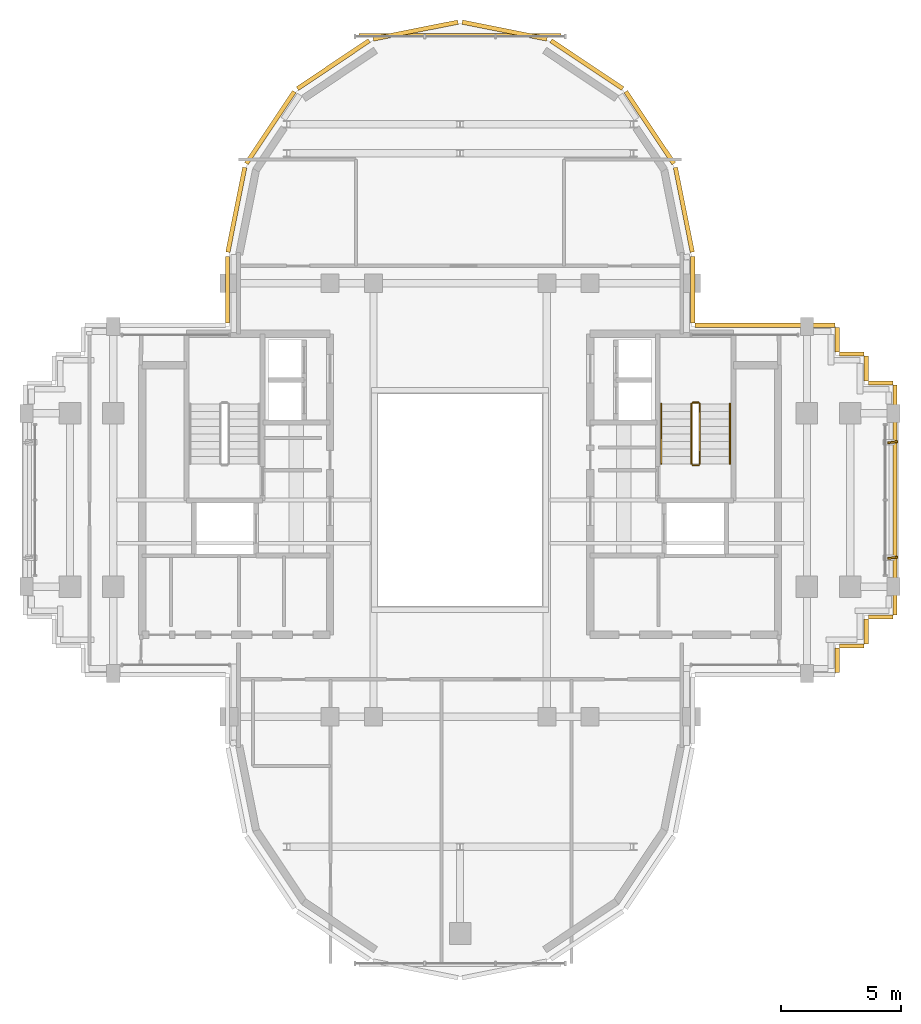
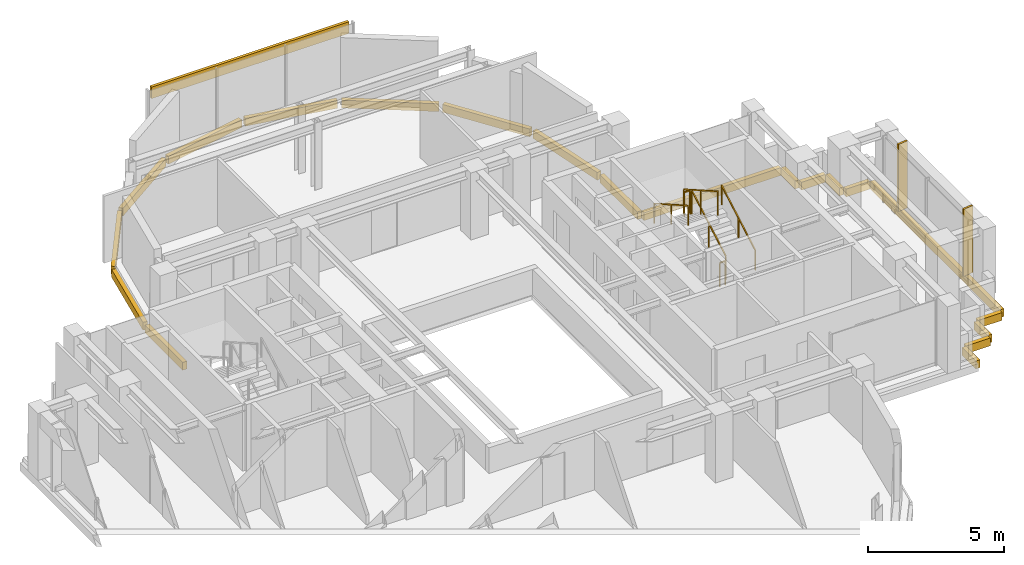
# One storey, part 12 of 12: 21 coverings, 6 railings, 2 shading devices.
"""IFC4 building model written with IfcOpenShell, lengths in metres."""

from ifc_helpers import new_model, si_unit, direction, frame, origin, origin_2d, place, context, subcontext, project, spatial, rectangle, extrude, source, transform, mapped, material, layer, layer_set, type_object, element, save


model = new_model("IFC4")

# Units and contexts
model_context = context("Model", 3, precision=1e-05, world=origin(), true_north=direction((0.0, 1.0)))
body_context = subcontext(model_context, "Body", "Model", "MODEL_VIEW")
ifc_project = project(units=[si_unit("LENGTHUNIT", "METRE"), si_unit("AREAUNIT", "SQUARE_METRE"), si_unit("VOLUMEUNIT", "CUBIC_METRE"), si_unit("PLANEANGLEUNIT", "RADIAN"), si_unit("MASSUNIT", "GRAM", prefix="KILO")], contexts=[model_context])

# Site, building, storey
site_placement = place(None, origin())
site = spatial("IfcSite", under=ifc_project, at=site_placement, CompositionType="ELEMENT")
building_placement = place(site_placement, origin())
building = spatial("IfcBuilding", under=site, at=building_placement, Name="Keilestroom Media Tower", CompositionType="ELEMENT")
storey_placement = place(building_placement, frame((0.0, 0.0, 226.800048828125)))
storey = spatial("IfcBuildingStorey", under=building, at=storey_placement, Name="L62", CompositionType="ELEMENT", Elevation=226.800048828125)

# Railings
ifc_material_1 = material(Name="Brushed Stainless Steel 1.4301", Category="steel")
railing_type_1 = type_object("IfcRailingType", Name="Stair-Pitch-Handrail-920", PredefinedType="HANDRAIL", material=ifc_material_1)
railing_1_placement = place(storey_placement, frame((11.2099609375, 1.5, 0.177734375)))
element("IfcRailing", 1, at=railing_1_placement, inside=storey, type_object=railing_type_1, Name="L62 ST-2 stair handrail 1", PredefinedType="HANDRAIL", context=body_context, shape_type="SweptSolid", body=[
    extrude(rectangle(XDim=0.048095703125, YDim=0.048095703125, at=origin_2d()), frame((0.0, 0.0, 0.8759765625), z_axis=(0.0, 0.868875238982, 0.495031129408), x_axis=(-1.0, 0.0, 0.0)), (0.0, 0.0, 1.0), 2.872802734375),
    extrude(rectangle(XDim=0.0419921875, YDim=0.0419921875, at=origin_2d()), origin(), (0.0, 0.0, 1.0), 0.84375),
    extrude(rectangle(XDim=0.0419921875, YDim=0.0419921875, at=origin_2d()), frame((0.0, 1.248046875, 0.7109375)), (0.0, 0.0, 1.0), 0.84375),
    extrude(rectangle(XDim=0.0419921875, YDim=0.0419921875, at=origin_2d()), frame((0.0, 2.49609375, 1.422119140625)), (0.0, 0.0, 1.0), 0.84375),
])
railing_2_placement = place(storey_placement, frame((8.35009765625, 3.99609375, 1.77783203125)))
element("IfcRailing", 2, at=railing_2_placement, inside=storey, type_object=railing_type_1, Name="L62 ST-2 stair handrail 2", PredefinedType="HANDRAIL", context=body_context, shape_type="SweptSolid", body=[
    extrude(rectangle(XDim=0.048095703125, YDim=0.048095703125, at=origin_2d()), frame((0.0, 0.0, 0.8759765625), z_axis=(0.0, -0.868875238982, 0.495031129408), x_axis=(1.0, 0.0, 0.0)), (0.0, 0.0, 1.0), 2.872802734375),
    extrude(rectangle(XDim=0.0419921875, YDim=0.0419921875, at=origin_2d()), origin(), (0.0, 0.0, 1.0), 0.84375),
    extrude(rectangle(XDim=0.0419921875, YDim=0.0419921875, at=origin_2d()), frame((0.0, -1.248046875, 0.7109375)), (0.0, 0.0, 1.0), 0.84375),
    extrude(rectangle(XDim=0.0419921875, YDim=0.0419921875, at=origin_2d()), frame((0.0, -2.49609375, 1.422119140625)), (0.0, 0.0, 1.0), 0.84375),
])
ifc_material_2 = material(Name="Painted Steel Balustrade", Category="steel")
railing_type_2 = type_object("IfcRailingType", Name="Stair-Well-And-Landing-Guard-1100", PredefinedType="GUARDRAIL", material=ifc_material_2)
railing_3_placement = place(storey_placement, frame((9.949951171875, 1.5, 0.177734375)))
element("IfcRailing", 3, at=railing_3_placement, inside=storey, type_object=railing_type_2, Name="L62 ST-2 stair guard 1", PredefinedType="GUARDRAIL", context=body_context, shape_type="SweptSolid", body=[
    extrude(rectangle(XDim=0.048095703125, YDim=0.048095703125, at=origin_2d()), frame((0.0, 0.0, 1.076171875), z_axis=(0.0, 0.868875238982, 0.495031129408), x_axis=(-1.0, 0.0, 0.0)), (0.0, 0.0, 1.0), 2.872802734375),
    extrude(rectangle(XDim=0.0419921875, YDim=0.0419921875, at=origin_2d()), origin(), (0.0, 0.0, 1.0), 1.0439453125),
    extrude(rectangle(XDim=0.0419921875, YDim=0.0419921875, at=origin_2d()), frame((0.0, 1.248046875, 0.7109375)), (0.0, 0.0, 1.0), 1.0439453125),
    extrude(rectangle(XDim=0.0419921875, YDim=0.0419921875, at=origin_2d()), frame((0.0, 2.49609375, 1.422119140625)), (0.0, 0.0, 1.0), 1.0439453125),
])
railing_4_placement = place(storey_placement, frame((9.89990234375, 4.0458984375, 1.599853515625)))
element("IfcRailing", 4, at=railing_4_placement, inside=storey, type_object=railing_type_2, Name="L62 ST-2 stair guard 2", PredefinedType="GUARDRAIL", context=body_context, shape_type="SweptSolid", body=[
    extrude(rectangle(XDim=0.048095703125, YDim=0.048095703125, at=origin_2d()), frame((0.0, 0.0, 1.076171875), z_axis=(-1.0, 0.0, 0.0), x_axis=(0.0, -1.0, 0.0)), (0.0, 0.0, 1.0), 0.239990234375),
    extrude(rectangle(XDim=0.0419921875, YDim=0.0419921875, at=origin_2d()), origin(), (0.0, 0.0, 1.0), 1.0439453125),
    extrude(rectangle(XDim=0.0419921875, YDim=0.0419921875, at=origin_2d()), frame((-0.239990234375, 0.0, 0.0)), (0.0, 0.0, 1.0), 1.0439453125),
])
railing_5_placement = place(storey_placement, frame((9.610107421875, 3.99609375, 1.77783203125)))
element("IfcRailing", 5, at=railing_5_placement, inside=storey, type_object=railing_type_2, Name="L62 ST-2 stair guard 3", PredefinedType="GUARDRAIL", context=body_context, shape_type="SweptSolid", body=[
    extrude(rectangle(XDim=0.048095703125, YDim=0.048095703125, at=origin_2d()), frame((0.0, 0.0, 1.076171875), z_axis=(0.0, -0.868875238982, 0.495031129408), x_axis=(1.0, 0.0, 0.0)), (0.0, 0.0, 1.0), 2.872802734375),
    extrude(rectangle(XDim=0.0419921875, YDim=0.0419921875, at=origin_2d()), origin(), (0.0, 0.0, 1.0), 1.0439453125),
    extrude(rectangle(XDim=0.0419921875, YDim=0.0419921875, at=origin_2d()), frame((0.0, -1.248046875, 0.7109375)), (0.0, 0.0, 1.0), 1.0439453125),
    extrude(rectangle(XDim=0.0419921875, YDim=0.0419921875, at=origin_2d()), frame((0.0, -2.49609375, 1.422119140625)), (0.0, 0.0, 1.0), 1.0439453125),
])
railing_6_placement = place(storey_placement, frame((9.89990234375, 1.449951171875, 0.0)))
element("IfcRailing", 6, at=railing_6_placement, inside=storey, type_object=railing_type_2, Name="L62 ST-2 stair guard 4", PredefinedType="GUARDRAIL", context=body_context, shape_type="SweptSolid", body=[
    extrude(rectangle(XDim=0.048095703125, YDim=0.048095703125, at=origin_2d()), frame((0.0, 0.0, 1.076171875), z_axis=(-1.0, 0.0, 0.0), x_axis=(0.0, -1.0, 0.0)), (0.0, 0.0, 1.0), 0.239990234375),
    extrude(rectangle(XDim=0.0419921875, YDim=0.0419921875, at=origin_2d()), origin(), (0.0, 0.0, 1.0), 1.0439453125),
    extrude(rectangle(XDim=0.0419921875, YDim=0.0419921875, at=origin_2d()), frame((-0.239990234375, 0.0, 0.0)), (0.0, 0.0, 1.0), 1.0439453125),
])

# Covering
ifc_material_3 = material(Name="Precast concrete C40/50", Category="concrete")
ifc_layer = layer(ifc_material_3, 0.1201171875)
ifc_layer_set = layer_set([ifc_layer], Name="Precast concrete C40/50")
covering_type = type_object("IfcCoveringType", Name="Exterior-Precast-Spandrel-Cladding-Panel-120", PredefinedType="CLADDING", material=ifc_layer_set)
shared_shape_1 = source(origin(), body_context, "Body", "SweptSolid", [
    extrude(rectangle(XDim=8.39990234375, YDim=0.1201171875, at=origin_2d()), origin(), (0.0, 0.0, 1.0), 0.52001953125),
])
covering_1_placement = place(storey_placement, frame((0.0, 19.320068359375, 2.5), z_axis=(0.0, 0.0, 1.0), x_axis=(1.0, 0.0, 0.0)))
element("IfcCovering", 7, at=covering_1_placement, inside=storey, type_object=covering_type, Name="L62 Precast Spandrel Cladding N", PredefinedType="CLADDING", context=body_context, shape_type="MappedRepresentation", body=[
    mapped(shared_shape_1, transform((0.0, 0.0, 0.0), x_axis=(1.0, 0.0, 0.0), y_axis=(0.0, 1.0, 0.0), z_axis=(0.0, 0.0, 1.0), scale=1.0)),
])

# Shading devices
ifc_material_4 = material(Name="Bronze Anodised Aluminium", Category="aluminium")
shading_device_type = type_object("IfcShadingDeviceType", Name="Facade-Vertical-Sunshade-Fin-SHD-1", PredefinedType="USERDEFINED", material=ifc_material_4)
shared_shape_2 = source(origin(), body_context, "Body", "SweptSolid", [
    extrude(rectangle(XDim=0.419921875, YDim=0.080078125, at=origin_2d()), origin(), (0.0, 0.0, 1.0), 3.010009765625),
])
for number, where, z_axis, x_axis, name in (
    (8, (17.969970703125, -2.39990234375, 0.0), (0.0, 0.0, 1.0), (0.992353495299, 0.123428280263, 0.0), "L62 Twisting Sunshade Fin SHD-1 095"),
    (9, (17.969970703125, 2.39990234375, 0.0), (0.0, 0.0, 1.0), (0.992353495299, 0.123428280263, 0.0), "L62 Twisting Sunshade Fin SHD-1 096"),
):
    element("IfcShadingDevice", number, at=place(storey_placement, frame(where, z_axis=z_axis, x_axis=x_axis)), inside=storey, type_object=shading_device_type, Name=name, ObjectType="SUNSHADE", PredefinedType="USERDEFINED", context=body_context, shape_type="MappedRepresentation", body=[
        mapped(shared_shape_2, transform((0.0, 0.0, 0.0), x_axis=(1.0, 0.0, 0.0), y_axis=(0.0, 1.0, 0.0), z_axis=(0.0, 0.0, 1.0), scale=1.0)),
    ])

# Coverings
shared_shape_3 = source(origin(), body_context, "Body", "SweptSolid", [
    extrude(rectangle(XDim=1.02001953125, YDim=0.179931640625, at=origin_2d()), origin(), (0.0, 0.0, 1.0), 0.35009765625),
])
for number, where, z_axis, x_axis, name in (
    (10, (17.4599609375, -4.860107421875, -0.530029296875), (0.0, 0.0, 1.0), (-1.0, 0.0, 0.0), "L62 Precast Slab-Edge Fascia Cornice 01"),
    (11, (16.860107421875, -5.4599609375, -0.530029296875), (0.0, 0.0, 1.0), (0.0, -1.0, 0.0), "L62 Precast Slab-Edge Fascia Cornice 02"),
    (12, (16.260009765625, -6.06005859375, -0.530029296875), (0.0, 0.0, 1.0), (-1.0, 0.0, 0.0), "L62 Precast Slab-Edge Fascia Cornice 03"),
    (13, (15.659912109375, -6.659912109375, -0.530029296875), (0.0, 0.0, 1.0), (0.0, -1.0, 0.0), "L62 Precast Slab-Edge Fascia Cornice 04"),
    (14, (15.659912109375, 6.659912109375, -0.530029296875), (0.0, 0.0, 1.0), (0.0, -1.0, 0.0), "L62 Precast Slab-Edge Fascia Cornice 38"),
    (15, (16.260009765625, 6.06005859375, -0.530029296875), (0.0, 0.0, 1.0), (1.0, 0.0, 0.0), "L62 Precast Slab-Edge Fascia Cornice 39"),
    (16, (16.860107421875, 5.4599609375, -0.530029296875), (0.0, 0.0, 1.0), (0.0, -1.0, 0.0), "L62 Precast Slab-Edge Fascia Cornice 40"),
    (17, (17.4599609375, 4.860107421875, -0.530029296875), (0.0, 0.0, 1.0), (1.0, 0.0, 0.0), "L62 Precast Slab-Edge Fascia Cornice 41"),
):
    element("IfcCovering", number, at=place(storey_placement, frame(where, z_axis=z_axis, x_axis=x_axis)), inside=storey, type_object=covering_type, Name=name, PredefinedType="CLADDING", context=body_context, shape_type="MappedRepresentation", body=[
        mapped(shared_shape_3, transform((0.0, 0.0, 0.0), x_axis=(1.0, 0.0, 0.0), y_axis=(0.0, 1.0, 0.0), z_axis=(0.0, 0.0, 1.0), scale=1.0)),
    ])
shared_shape_4 = source(origin(), body_context, "Body", "SweptSolid", [
    extrude(rectangle(XDim=5.820068359375, YDim=0.179931640625, at=origin_2d()), origin(), (0.0, 0.0, 1.0), 0.35009765625),
])
covering_2_placement = place(storey_placement, frame((12.659912109375, 7.260009765625, -0.530029296875), z_axis=(0.0, 0.0, 1.0), x_axis=(1.0, 0.0, 0.0)))
element("IfcCovering", 18, at=covering_2_placement, inside=storey, type_object=covering_type, Name="L62 Precast Slab-Edge Fascia Cornice 37", PredefinedType="CLADDING", context=body_context, shape_type="MappedRepresentation", body=[
    mapped(shared_shape_4, transform((0.0, 0.0, 0.0), x_axis=(1.0, 0.0, 0.0), y_axis=(0.0, 1.0, 0.0), z_axis=(0.0, 0.0, 1.0), scale=1.0)),
])
shared_shape_5 = source(origin(), body_context, "Body", "SweptSolid", [
    extrude(rectangle(XDim=2.765869140625, YDim=0.179931640625, at=origin_2d()), origin(), (0.0, 0.0, 1.0), 0.35009765625),
])
for number, where, z_axis, x_axis, name in (
    (19, (-9.659912109375, 8.73291015625, -0.530029296875), (0.0, 0.0, 1.0), (0.0, 1.0, 0.0), "L62 Precast Slab-Edge Fascia Cornice 27"),
    (20, (9.659912109375, 8.73291015625, -0.530029296875), (0.0, 0.0, 1.0), (0.0, -1.0, 0.0), "L62 Precast Slab-Edge Fascia Cornice 36"),
):
    element("IfcCovering", number, at=place(storey_placement, frame(where, z_axis=z_axis, x_axis=x_axis)), inside=storey, type_object=covering_type, Name=name, PredefinedType="CLADDING", context=body_context, shape_type="MappedRepresentation", body=[
        mapped(shared_shape_5, transform((0.0, 0.0, 0.0), x_axis=(1.0, 0.0, 0.0), y_axis=(0.0, 1.0, 0.0), z_axis=(0.0, 0.0, 1.0), scale=1.0)),
    ])
shared_shape_6 = source(origin(), body_context, "Body", "SweptSolid", [
    extrude(rectangle(XDim=3.58349609375, YDim=0.179931640625, at=origin_2d()), origin(), (0.0, 0.0, 1.0), 0.35009765625),
])
for number, where, z_axis, x_axis, name in (
    (21, (-9.29296875, 12.051513671875, -0.530029296875), (0.0, 0.0, 1.0), (0.195098880975, 0.980783577882, 0.0), "L62 Precast Slab-Edge Fascia Cornice 28"),
    (22, (9.29296875, 12.051513671875, -0.530029296875), (0.0, 0.0, 1.0), (0.195098880975, -0.980783577882, 0.0), "L62 Precast Slab-Edge Fascia Cornice 35"),
):
    element("IfcCovering", number, at=place(storey_placement, frame(where, z_axis=z_axis, x_axis=x_axis)), inside=storey, type_object=covering_type, Name=name, PredefinedType="CLADDING", context=body_context, shape_type="MappedRepresentation", body=[
        mapped(shared_shape_6, transform((0.0, 0.0, 0.0), x_axis=(1.0, 0.0, 0.0), y_axis=(0.0, 1.0, 0.0), z_axis=(0.0, 0.0, 1.0), scale=1.0)),
    ])
shared_shape_7 = source(origin(), body_context, "Body", "SweptSolid", [
    extrude(rectangle(XDim=3.589599609375, YDim=0.179931640625, at=origin_2d()), origin(), (0.0, 0.0, 1.0), 0.35009765625),
])
for number, where, z_axis, x_axis, name in (
    (23, (-7.878662109375, 15.46435546875, -0.530029296875), (0.0, 0.0, 1.0), (0.555574586577, 0.831466703332, 0.0), "L62 Precast Slab-Edge Fascia Cornice 29"),
    (24, (-5.264404296875, 18.07861328125, -0.530029296875), (0.0, 0.0, 1.0), (0.831466703332, 0.555574586577, 0.0), "L62 Precast Slab-Edge Fascia Cornice 30"),
    (25, (-1.8486328125, 19.493408203125, -0.530029296875), (0.0, 0.0, 1.0), (0.980783577882, 0.195098880975, 0.0), "L62 Precast Slab-Edge Fascia Cornice 31"),
    (26, (1.8486328125, 19.493408203125, -0.530029296875), (0.0, 0.0, 1.0), (0.980783577882, -0.195098880975, 0.0), "L62 Precast Slab-Edge Fascia Cornice 32"),
    (27, (5.264404296875, 18.07861328125, -0.530029296875), (0.0, 0.0, 1.0), (0.831466703332, -0.555574586577, 0.0), "L62 Precast Slab-Edge Fascia Cornice 33"),
    (28, (7.878662109375, 15.46435546875, -0.530029296875), (0.0, 0.0, 1.0), (0.555574586577, -0.831466703332, 0.0), "L62 Precast Slab-Edge Fascia Cornice 34"),
):
    element("IfcCovering", number, at=place(storey_placement, frame(where, z_axis=z_axis, x_axis=x_axis)), inside=storey, type_object=covering_type, Name=name, PredefinedType="CLADDING", context=body_context, shape_type="MappedRepresentation", body=[
        mapped(shared_shape_7, transform((0.0, 0.0, 0.0), x_axis=(1.0, 0.0, 0.0), y_axis=(0.0, 1.0, 0.0), z_axis=(0.0, 0.0, 1.0), scale=1.0)),
    ])
shared_shape_8 = source(origin(), body_context, "Body", "SweptSolid", [
    extrude(rectangle(XDim=9.5400390625, YDim=0.179931640625, at=origin_2d()), origin(), (0.0, 0.0, 1.0), 0.35009765625),
])
covering_3_placement = place(storey_placement, frame((18.06005859375, 0.0, -0.530029296875), z_axis=(0.0, 0.0, 1.0), x_axis=(0.0, -1.0, 0.0)))
element("IfcCovering", 29, at=covering_3_placement, inside=storey, type_object=covering_type, Name="L62 Precast Slab-Edge Fascia Cornice 42", PredefinedType="CLADDING", context=body_context, shape_type="MappedRepresentation", body=[
    mapped(shared_shape_8, transform((0.0, 0.0, 0.0), x_axis=(1.0, 0.0, 0.0), y_axis=(0.0, 1.0, 0.0), z_axis=(0.0, 0.0, 1.0), scale=1.0)),
])

save(model, "model.ifc")
